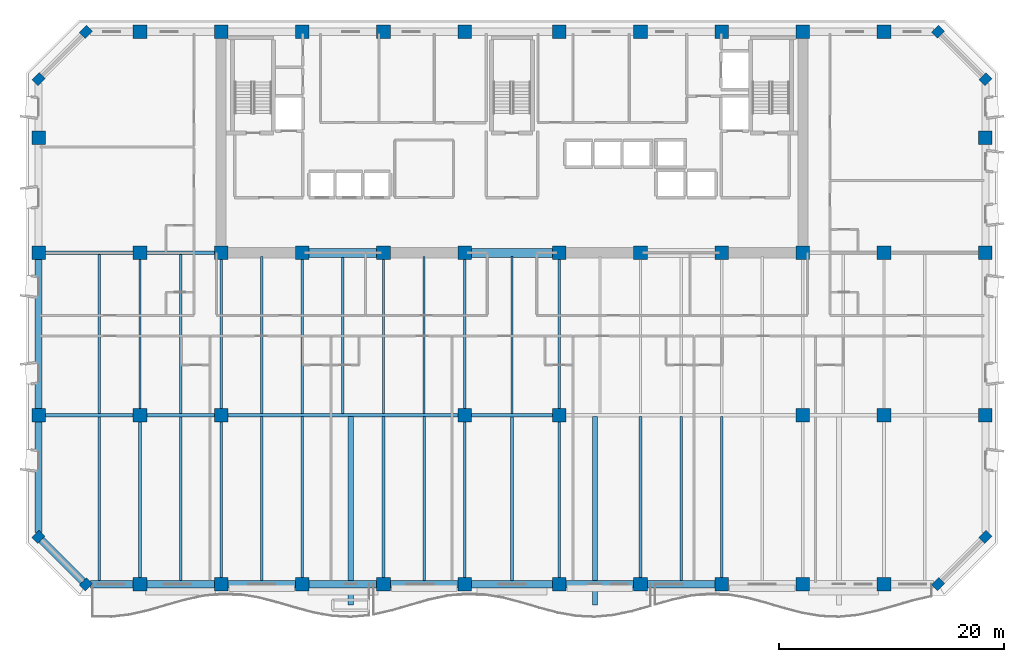
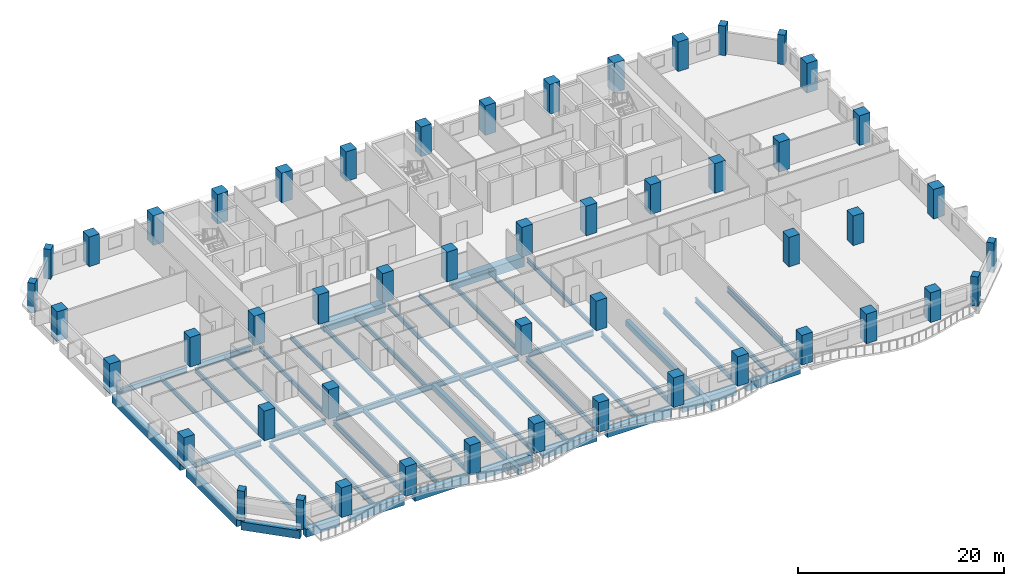
# One storey, part 1 of 15: 50 columns, 47 beams.
"""IFC4 building model written with IfcOpenShell, lengths in metres."""

import ifcopenshell
import ifcopenshell.guid

model = None  # the IFC model being written
_history = None  # IfcOwnerHistory: only IFC2X3 demands one
_inside = {}  # id of a spatial element -> (the spatial element, [elements in it])
_under = {}  # id of a project, library or spatial element -> (it, [spatial elements below it])
_declared = {}  # id of a project -> (the project, [libraries it declares])
_typed = {}  # id of a type object -> (the type object, [elements of that type])
_made_of = {}  # id of a material, layer set ... -> (it, [elements and type objects made of it])


def new_model(schema):
    """Start an empty IFC model of exactly this schema.

    Asked for "IFC4X3", IfcOpenShell would pick the latest addendum, in which some entities
    have other attributes; the version numbers below select the first issue.
    IFC2X3 requires an IfcOwnerHistory on every rooted entity: one is made here for all.
    """
    global model, _history
    if schema == "IFC4X3":
        model = ifcopenshell.file(schema_version=(4, 3, 0, 0))
    else:
        model = ifcopenshell.file(schema=schema)
    _inside.clear()
    _under.clear()
    _declared.clear()
    _typed.clear()
    _made_of.clear()
    _history = None
    if model.schema == "IFC2X3":
        org = make("IfcOrganization", Name="unknown")
        user = make(
            "IfcPersonAndOrganization",
            ThePerson=make("IfcPerson", FamilyName="unknown"),
            TheOrganization=org,
        )
        app = make(
            "IfcApplication",
            ApplicationDeveloper=org,
            Version="unknown",
            ApplicationFullName="unknown",
            ApplicationIdentifier="unknown",
        )
        _history = make(
            "IfcOwnerHistory",
            OwningUser=user,
            OwningApplication=app,
            ChangeAction="ADDED",
            CreationDate=0,
        )
    return model


def make(cls, **values):
    """One entity of the class cls with the attributes given. An attribute that is None is left unset."""
    return model.create_entity(
        cls, **{name: value for name, value in values.items() if value is not None}
    )


def rooted(cls, **values):
    """An entity with a GlobalId (a new one), such as an element, a storey or a relation."""
    return make(cls, GlobalId=ifcopenshell.guid.new(), OwnerHistory=_history, **values)


def si_unit(unit_type, name, prefix=None):
    """IfcSIUnit, for example si_unit("LENGTHUNIT", "METRE", prefix="MILLI")."""
    return make("IfcSIUnit", UnitType=unit_type, Prefix=prefix, Name=name)


def assignment(units):
    """IfcUnitAssignment: the units of a project."""
    return None if units is None else make("IfcUnitAssignment", Units=units)


def point(xyz):
    """IfcCartesianPoint."""
    return None if xyz is None else make("IfcCartesianPoint", Coordinates=xyz)


def direction(xyz):
    """IfcDirection."""
    return None if xyz is None else make("IfcDirection", DirectionRatios=xyz)


def frame(location, z_axis=None, x_axis=None):
    """IfcAxis2Placement3D, a coordinate frame: its origin and axes. An axis left out is left unset."""
    return make(
        "IfcAxis2Placement3D",
        Location=point(location),
        Axis=direction(z_axis),
        RefDirection=direction(x_axis),
    )


def frame_2d(location, x_axis=None):
    """IfcAxis2Placement2D, a coordinate frame in the plane: its origin and x axis."""
    return make(
        "IfcAxis2Placement2D", Location=point(location), RefDirection=direction(x_axis)
    )


def origin():
    """The frame at (0, 0, 0) with its axes left unset."""
    return frame((0.0, 0.0, 0.0))


def origin_2d():
    """The frame at (0, 0) in the plane with its x axis left unset."""
    return frame_2d((0.0, 0.0))


def place(relative_to, where):
    """IfcLocalPlacement: puts the frame where relative to a parent placement (None: the world)."""
    return make(
        "IfcLocalPlacement", PlacementRelTo=relative_to, RelativePlacement=where
    )


def context(
    kind, dimensions, precision=None, world=None, true_north=None, identifier=None
):
    """IfcGeometricRepresentationContext, for example the 3D "Model" context."""
    return make(
        "IfcGeometricRepresentationContext",
        ContextIdentifier=identifier,
        ContextType=kind,
        CoordinateSpaceDimension=dimensions,
        Precision=precision,
        WorldCoordinateSystem=world,
        TrueNorth=true_north,
    )


def subcontext(parent, identifier, kind, view, scale=None):
    """IfcGeometricRepresentationSubContext, for example "Body" below "Model"."""
    return make(
        "IfcGeometricRepresentationSubContext",
        ContextIdentifier=identifier,
        ContextType=kind,
        ParentContext=parent,
        TargetScale=scale,
        TargetView=view,
    )


def project(units=None, contexts=None):
    """IfcProject with its units and contexts."""
    return rooted(
        "IfcProject",
        Name="project",
        RepresentationContexts=contexts,
        UnitsInContext=assignment(units),
    )


def spatial(cls, under=None, at=None, **own):
    """A site, building, storey or space (cls), placed at a placement, below another one or the project."""
    s = rooted(cls, ObjectPlacement=at, **own)
    if under is not None:
        _under.setdefault(under.id(), (under, []))[1].append(s)
    return s


def profile(cls, at=None, kind="AREA", **sizes):
    """A parametric profile (cls). Its sizes go by their IFC names, for example OverallWidth=200.0."""
    return make(cls, ProfileType=kind, Position=at, **sizes)


def rectangle(**sizes):
    """IfcRectangleProfileDef."""
    return profile("IfcRectangleProfileDef", **sizes)


def i_section(**sizes):
    """IfcIShapeProfileDef."""
    return profile("IfcIShapeProfileDef", **sizes)


def extrude(swept, where, along, depth):
    """IfcExtrudedAreaSolid: the profile swept, set in the frame where, extruded along a direction by depth."""
    return make(
        "IfcExtrudedAreaSolid",
        SweptArea=swept,
        Position=where,
        ExtrudedDirection=direction(along),
        Depth=depth,
    )


def shape(context_of_items, identifier, shape_type, items):
    """IfcShapeRepresentation: the items that make up one representation, for example the "Body"."""
    return make(
        "IfcShapeRepresentation",
        ContextOfItems=context_of_items,
        RepresentationIdentifier=identifier,
        RepresentationType=shape_type,
        Items=items,
    )


def material(Name=None, Category=None):
    """IfcMaterial."""
    return make("IfcMaterial", Name=Name, Category=Category)


def material_profile(
    of_material, cross_section, Name=None, Category=None, Priority=None
):
    """IfcMaterialProfile: a cross section and its material."""
    return make(
        "IfcMaterialProfile",
        Name=Name,
        Material=of_material,
        Profile=cross_section,
        Priority=Priority,
        Category=Category,
    )


def profile_set(profiles, Name=None, composite=None):
    """IfcMaterialProfileSet."""
    return make(
        "IfcMaterialProfileSet",
        Name=Name,
        MaterialProfiles=profiles,
        CompositeProfile=composite,
    )


def made_of(thing, what):
    """Note that an element or type object is made of a material, layer set ...; save() writes the relation."""
    if what is not None:
        _made_of.setdefault(what.id(), (what, []))[1].append(thing)
    return thing


def type_object(cls, material=None, **own):
    """A type object (cls), such as IfcWallType, which elements share."""
    return made_of(rooted(cls, **own), material)


def element(
    cls,
    number,
    at=None,
    inside=None,
    cuts=None,
    type_object=None,
    material=None,
    context=None,
    identifier="Body",
    shape_type=None,
    held_by="IfcProductDefinitionShape",
    body=None,
    shapes=None,
    **own,
):
    """One element of the class cls, such as IfcWall. Its Tag is "e" and its number.

    at: its placement. inside: the storey or other place that contains it. cuts: it is an
    opening in that element (IfcRelVoidsElement). A single representation is given by context,
    identifier, shape_type and body (its items); several are given by shapes. held_by: the class
    of the entity that holds the representations. save() writes the other relations.
    """
    e = rooted(cls, Tag="e%d" % number, ObjectPlacement=at, **own)
    if body is not None:
        shapes = [shape(context, identifier, shape_type, body)]
    if shapes is not None:
        e.Representation = make(held_by, Representations=shapes)
    if inside is not None:
        _inside.setdefault(inside.id(), (inside, []))[1].append(e)
    if cuts is not None:
        rooted(
            "IfcRelVoidsElement", RelatingBuildingElement=cuts, RelatedOpeningElement=e
        )
    if type_object is not None:
        _typed.setdefault(type_object.id(), (type_object, []))[1].append(e)
    return made_of(e, material)


def aggregate(whole, parts):
    """IfcRelAggregates: a whole, such as a stair, and the parts it consists of."""
    return rooted("IfcRelAggregates", RelatingObject=whole, RelatedObjects=parts)


def save(model, path):
    """Write the relations noted so far, then the file.

    IfcRelAggregates (storeys below a building ...), IfcRelContainedInSpatialStructure (elements
    in a storey), IfcRelDefinesByType, IfcRelAssociatesMaterial and IfcRelDeclares: one each for
    every whole, place, type object, material and project.
    """
    for whole, parts in _under.values():
        aggregate(whole, parts)
    for where, things in _inside.values():
        rooted(
            "IfcRelContainedInSpatialStructure",
            RelatedElements=things,
            RelatingStructure=where,
        )
    for kind, things in _typed.values():
        rooted("IfcRelDefinesByType", RelatedObjects=things, RelatingType=kind)
    for what, things in _made_of.values():
        rooted("IfcRelAssociatesMaterial", RelatedObjects=things, RelatingMaterial=what)
    for by, libraries in _declared.values():
        rooted("IfcRelDeclares", RelatingContext=by, RelatedDefinitions=libraries)
    model.write(path)


model = new_model("IFC4")

# Units and contexts
model_context = context("Model", 3, precision=1e-05, world=origin(), true_north=direction((0.0, 1.0)))
body_context = subcontext(model_context, "Body", "Model", "MODEL_VIEW")
ifc_project = project(units=[si_unit("LENGTHUNIT", "METRE"), si_unit("AREAUNIT", "SQUARE_METRE"), si_unit("VOLUMEUNIT", "CUBIC_METRE"), si_unit("PLANEANGLEUNIT", "RADIAN"), si_unit("MASSUNIT", "GRAM", prefix="KILO")], contexts=[model_context])

# Site, building, storey
site_placement = place(None, origin())
site = spatial("IfcSite", under=ifc_project, at=site_placement, CompositionType="ELEMENT")
building_placement = place(site_placement, origin())
building = spatial("IfcBuilding", under=site, at=building_placement, Name="Kaelvorn Grand Hotel", CompositionType="ELEMENT")
storey_placement = place(building_placement, frame((0.0, 0.0, 100.550048828125)))
storey = spatial("IfcBuildingStorey", under=building, at=storey_placement, Name="L23", CompositionType="ELEMENT", Elevation=100.550048828125)

# Columns
ifc_material_1 = material(Name="Concrete C60/75", Category="concrete")
ifc_material_profile_1 = material_profile(ifc_material_1, rectangle(XDim=0.89990234375, YDim=0.75, at=origin_2d()), Name="RC PILASTER 900x750")
ifc_profile_set_1 = profile_set([ifc_material_profile_1], Name="Concrete C60/75")
column_type_1 = type_object("IfcColumnType", Name="COL-PIL-900x750-C60", PredefinedType="PILASTER", material=ifc_profile_set_1)
for number, where, z_axis, x_axis, name in (
    (1, (4.199951171875, 0.0, 0.0), (0.0, 0.0, 1.0), (0.707106781187, 0.707106781187, 0.0), "L23 Structural Column CH-01"),
    (2, (79.800048828125, 0.0, 0.0), (0.0, 0.0, 1.0), (0.707106781187, 0.707106781187, 0.0), "L23 Structural Column CH-02"),
    (3, (84.0, 4.199951171875, 0.0), (0.0, 0.0, 1.0), (0.707106781187, 0.707106781187, 0.0), "L23 Structural Column CH-03"),
    (4, (84.0, 44.800048828125, 0.0), (0.0, 0.0, 1.0), (0.707106781187, 0.707106781187, 0.0), "L23 Structural Column CH-04"),
    (5, (79.800048828125, 49.0, 0.0), (0.0, 0.0, 1.0), (0.707106781187, 0.707106781187, 0.0), "L23 Structural Column CH-05"),
    (6, (4.199951171875, 49.0, 0.0), (0.0, 0.0, 1.0), (0.707106781187, 0.707106781187, 0.0), "L23 Structural Column CH-06"),
    (7, (0.0, 44.800048828125, 0.0), (0.0, 0.0, 1.0), (0.707106781187, 0.707106781187, 0.0), "L23 Structural Column CH-07"),
    (8, (0.0, 4.199951171875, 0.0), (0.0, 0.0, 1.0), (0.707106781187, 0.707106781187, 0.0), "L23 Structural Column CH-08"),
):
    element("IfcColumn", number, at=place(storey_placement, frame(where, z_axis=z_axis, x_axis=x_axis)), inside=storey, type_object=column_type_1, Name=name, PredefinedType="PILASTER", context=body_context, shape_type="SweptSolid", body=[
        extrude(rectangle(XDim=0.89990234375, YDim=0.75, at=origin_2d()), origin(), (0.0, 0.0, 1.0), 3.510009765625),
    ])
ifc_material_profile_2 = material_profile(ifc_material_1, rectangle(XDim=1.199951171875, YDim=1.199951171875, at=origin_2d()), Name="RC COL 1200x1200")
ifc_profile_set_2 = profile_set([ifc_material_profile_2], Name="Concrete C60/75")
column_type_2 = type_object("IfcColumnType", Name="COL-RC-1200-C60", PredefinedType="COLUMN", material=ifc_profile_set_2)
for number, where, z_axis, x_axis, name in (
    (9, (9.0, 0.0, 0.0), (0.0, 0.0, 1.0), (1.0, 0.0, 0.0), "L23 Structural Column S-01"),
    (10, (16.199951171875, 0.0, 0.0), (0.0, 0.0, 1.0), (1.0, 0.0, 0.0), "L23 Structural Column S-02"),
    (11, (23.39990234375, 0.0, 0.0), (0.0, 0.0, 1.0), (1.0, 0.0, 0.0), "L23 Structural Column S-03"),
    (12, (30.60009765625, 0.0, 0.0), (0.0, 0.0, 1.0), (1.0, 0.0, 0.0), "L23 Structural Column S-04"),
    (13, (37.800048828125, 0.0, 0.0), (0.0, 0.0, 1.0), (1.0, 0.0, 0.0), "L23 Structural Column S-05"),
    (14, (46.199951171875, 0.0, 0.0), (0.0, 0.0, 1.0), (1.0, 0.0, 0.0), "L23 Structural Column S-06"),
    (15, (53.39990234375, 0.0, 0.0), (0.0, 0.0, 1.0), (1.0, 0.0, 0.0), "L23 Structural Column S-07"),
    (16, (60.60009765625, 0.0, 0.0), (0.0, 0.0, 1.0), (1.0, 0.0, 0.0), "L23 Structural Column S-08"),
    (17, (67.800048828125, 0.0, 0.0), (0.0, 0.0, 1.0), (1.0, 0.0, 0.0), "L23 Structural Column S-09"),
    (18, (75.0, 0.0, 0.0), (0.0, 0.0, 1.0), (1.0, 0.0, 0.0), "L23 Structural Column S-10"),
    (19, (0.0, 15.0, 0.0), (0.0, 0.0, 1.0), (1.0, 0.0, 0.0), "L23 Structural Column W-01"),
    (20, (84.0, 15.0, 0.0), (0.0, 0.0, 1.0), (1.0, 0.0, 0.0), "L23 Structural Column E-01"),
    (21, (0.0, 29.39990234375, 0.0), (0.0, 0.0, 1.0), (1.0, 0.0, 0.0), "L23 Structural Column W-02"),
    (22, (84.0, 29.39990234375, 0.0), (0.0, 0.0, 1.0), (1.0, 0.0, 0.0), "L23 Structural Column E-02"),
    (23, (0.0, 39.60009765625, 0.0), (0.0, 0.0, 1.0), (1.0, 0.0, 0.0), "L23 Structural Column W-03"),
    (24, (84.0, 39.60009765625, 0.0), (0.0, 0.0, 1.0), (1.0, 0.0, 0.0), "L23 Structural Column E-03"),
    (25, (9.0, 15.0, 0.0), (0.0, 0.0, 1.0), (1.0, 0.0, 0.0), "L23 Structural Column M-01"),
    (26, (16.199951171875, 15.0, 0.0), (0.0, 0.0, 1.0), (1.0, 0.0, 0.0), "L23 Structural Column M-02"),
    (27, (37.800048828125, 15.0, 0.0), (0.0, 0.0, 1.0), (1.0, 0.0, 0.0), "L23 Structural Column M-03"),
    (28, (46.199951171875, 15.0, 0.0), (0.0, 0.0, 1.0), (1.0, 0.0, 0.0), "L23 Structural Column M-04"),
    (29, (67.800048828125, 15.0, 0.0), (0.0, 0.0, 1.0), (1.0, 0.0, 0.0), "L23 Structural Column M-05"),
    (30, (75.0, 15.0, 0.0), (0.0, 0.0, 1.0), (1.0, 0.0, 0.0), "L23 Structural Column M-06"),
    (31, (9.0, 29.39990234375, 0.0), (0.0, 0.0, 1.0), (1.0, 0.0, 0.0), "L23 Structural Column CR1-01"),
    (32, (9.0, 49.0, 0.0), (0.0, 0.0, 1.0), (1.0, 0.0, 0.0), "L23 Structural Column CR2-01"),
    (33, (16.199951171875, 29.39990234375, 0.0), (0.0, 0.0, 1.0), (1.0, 0.0, 0.0), "L23 Structural Column CR1-02"),
    (34, (16.199951171875, 49.0, 0.0), (0.0, 0.0, 1.0), (1.0, 0.0, 0.0), "L23 Structural Column CR2-02"),
    (35, (23.39990234375, 29.39990234375, 0.0), (0.0, 0.0, 1.0), (1.0, 0.0, 0.0), "L23 Structural Column CR1-03"),
    (36, (23.39990234375, 49.0, 0.0), (0.0, 0.0, 1.0), (1.0, 0.0, 0.0), "L23 Structural Column CR2-03"),
    (37, (30.60009765625, 29.39990234375, 0.0), (0.0, 0.0, 1.0), (1.0, 0.0, 0.0), "L23 Structural Column CR1-04"),
    (38, (30.60009765625, 49.0, 0.0), (0.0, 0.0, 1.0), (1.0, 0.0, 0.0), "L23 Structural Column CR2-04"),
    (39, (37.800048828125, 29.39990234375, 0.0), (0.0, 0.0, 1.0), (1.0, 0.0, 0.0), "L23 Structural Column CR1-05"),
    (40, (37.800048828125, 49.0, 0.0), (0.0, 0.0, 1.0), (1.0, 0.0, 0.0), "L23 Structural Column CR2-05"),
    (41, (46.199951171875, 29.39990234375, 0.0), (0.0, 0.0, 1.0), (1.0, 0.0, 0.0), "L23 Structural Column CR1-06"),
    (42, (46.199951171875, 49.0, 0.0), (0.0, 0.0, 1.0), (1.0, 0.0, 0.0), "L23 Structural Column CR2-06"),
    (43, (53.39990234375, 29.39990234375, 0.0), (0.0, 0.0, 1.0), (1.0, 0.0, 0.0), "L23 Structural Column CR1-07"),
    (44, (53.39990234375, 49.0, 0.0), (0.0, 0.0, 1.0), (1.0, 0.0, 0.0), "L23 Structural Column CR2-07"),
    (45, (60.60009765625, 29.39990234375, 0.0), (0.0, 0.0, 1.0), (1.0, 0.0, 0.0), "L23 Structural Column CR1-08"),
    (46, (60.60009765625, 49.0, 0.0), (0.0, 0.0, 1.0), (1.0, 0.0, 0.0), "L23 Structural Column CR2-08"),
    (47, (67.800048828125, 29.39990234375, 0.0), (0.0, 0.0, 1.0), (1.0, 0.0, 0.0), "L23 Structural Column CR1-09"),
    (48, (67.800048828125, 49.0, 0.0), (0.0, 0.0, 1.0), (1.0, 0.0, 0.0), "L23 Structural Column CR2-09"),
    (49, (75.0, 29.39990234375, 0.0), (0.0, 0.0, 1.0), (1.0, 0.0, 0.0), "L23 Structural Column CR1-10"),
    (50, (75.0, 49.0, 0.0), (0.0, 0.0, 1.0), (1.0, 0.0, 0.0), "L23 Structural Column CR2-10"),
):
    element("IfcColumn", number, at=place(storey_placement, frame(where, z_axis=z_axis, x_axis=x_axis)), inside=storey, type_object=column_type_2, Name=name, PredefinedType="COLUMN", context=body_context, shape_type="SweptSolid", body=[
        extrude(rectangle(XDim=1.199951171875, YDim=1.199951171875, at=origin_2d()), origin(), (0.0, 0.0, 1.0), 3.510009765625),
    ])

# Beams
ifc_material_2 = material(Name="Steel S355", Category="steel")
ifc_material_profile_3 = material_profile(ifc_material_2, i_section(OverallWidth=0.300048828125, OverallDepth=0.64990234375, WebThickness=0.01611328125, FlangeThickness=0.031005859375, FilletRadius=0.027099609375, at=origin_2d()), Name="HEB 650")
ifc_profile_set_3 = profile_set([ifc_material_profile_3], Name="Steel S355")
beam_type_1 = type_object("IfcBeamType", Name="BM-G-HEB650-S355", PredefinedType="BEAM", material=ifc_profile_set_3)
beam_1_placement = place(storey_placement, frame((0.5849609375, 15.0, -0.56494140625), z_axis=(1.0, 0.0, 0.0), x_axis=(0.0, 1.0, 0.0)))
element("IfcBeam", 51, at=beam_1_placement, inside=storey, type_object=beam_type_1, Name="L23 Primary Spine Steel Girder G-15 01", PredefinedType="BEAM", context=body_context, shape_type="SweptSolid", body=[
    extrude(i_section(OverallWidth=0.300048828125, OverallDepth=0.64990234375, WebThickness=0.01611328125, FlangeThickness=0.031005859375, FilletRadius=0.027099609375, at=origin_2d()), origin(), (0.0, 0.0, 1.0), 7.830078125),
])
beam_2_placement = place(storey_placement, frame((9.5849609375, 15.0, -0.56494140625), z_axis=(1.0, 0.0, 0.0), x_axis=(0.0, 1.0, 0.0)))
element("IfcBeam", 52, at=beam_2_placement, inside=storey, type_object=beam_type_1, Name="L23 Primary Spine Steel Girder G-15 02", PredefinedType="BEAM", context=body_context, shape_type="SweptSolid", body=[
    extrude(i_section(OverallWidth=0.300048828125, OverallDepth=0.64990234375, WebThickness=0.01611328125, FlangeThickness=0.031005859375, FilletRadius=0.027099609375, at=origin_2d()), origin(), (0.0, 0.0, 1.0), 6.030029296875),
])
beam_3_placement = place(storey_placement, frame((16.784912109375, 15.0, -0.56494140625), z_axis=(1.0, 0.0, 0.0), x_axis=(0.0, 1.0, 0.0)))
element("IfcBeam", 53, at=beam_3_placement, inside=storey, type_object=beam_type_1, Name="L23 Primary Spine Steel Girder G-15 03", PredefinedType="BEAM", context=body_context, shape_type="SweptSolid", body=[
    extrude(i_section(OverallWidth=0.300048828125, OverallDepth=0.64990234375, WebThickness=0.01611328125, FlangeThickness=0.031005859375, FilletRadius=0.027099609375, at=origin_2d()), origin(), (0.0, 0.0, 1.0), 20.43017578125),
])
beam_4_placement = place(storey_placement, frame((38.385009765625, 15.0, -0.56494140625), z_axis=(1.0, 0.0, 0.0), x_axis=(0.0, 1.0, 0.0)))
element("IfcBeam", 54, at=beam_4_placement, inside=storey, type_object=beam_type_1, Name="L23 Primary Spine Steel Girder G-15 04", PredefinedType="BEAM", context=body_context, shape_type="SweptSolid", body=[
    extrude(i_section(OverallWidth=0.300048828125, OverallDepth=0.64990234375, WebThickness=0.01611328125, FlangeThickness=0.031005859375, FilletRadius=0.027099609375, at=origin_2d()), origin(), (0.0, 0.0, 1.0), 7.22998046875),
])
beam_5_placement = place(storey_placement, frame((0.5849609375, 29.39990234375, -0.56494140625), z_axis=(1.0, 0.0, 0.0), x_axis=(0.0, 1.0, 0.0)))
element("IfcBeam", 55, at=beam_5_placement, inside=storey, type_object=beam_type_1, Name="L23 West Core Wing Steel Girder G-29W 01", PredefinedType="BEAM", context=body_context, shape_type="SweptSolid", body=[
    extrude(i_section(OverallWidth=0.300048828125, OverallDepth=0.64990234375, WebThickness=0.01611328125, FlangeThickness=0.031005859375, FilletRadius=0.027099609375, at=origin_2d()), origin(), (0.0, 0.0, 1.0), 7.830078125),
])
beam_6_placement = place(storey_placement, frame((9.5849609375, 29.39990234375, -0.56494140625), z_axis=(1.0, 0.0, 0.0), x_axis=(0.0, 1.0, 0.0)))
element("IfcBeam", 56, at=beam_6_placement, inside=storey, type_object=beam_type_1, Name="L23 West Core Wing Steel Girder G-29W 02", PredefinedType="BEAM", context=body_context, shape_type="SweptSolid", body=[
    extrude(i_section(OverallWidth=0.300048828125, OverallDepth=0.64990234375, WebThickness=0.01611328125, FlangeThickness=0.031005859375, FilletRadius=0.027099609375, at=origin_2d()), origin(), (0.0, 0.0, 1.0), 6.030029296875),
])
ifc_material_profile_4 = material_profile(ifc_material_2, i_section(OverallWidth=0.209228515625, OverallDepth=0.533203125, WebThickness=0.010009765625, FlangeThickness=0.015625, FilletRadius=0.0126953125, at=origin_2d()), Name="UB 533x210x92")
ifc_profile_set_4 = profile_set([ifc_material_profile_4], Name="Steel S355")
beam_type_2 = type_object("IfcBeamType", Name="BM-J-UB533-S355", PredefinedType="JOIST", material=ifc_profile_set_4)
beam_7_placement = place(storey_placement, frame((5.39990234375, 15.135009765625, -0.506591796875), z_axis=(0.0, 1.0, 0.0), x_axis=(-1.0, 0.0, 0.0)))
element("IfcBeam", 57, at=beam_7_placement, inside=storey, type_object=beam_type_2, Name="L23 Composite Floor Joist JM-02", PredefinedType="JOIST", context=body_context, shape_type="SweptSolid", body=[
    extrude(i_section(OverallWidth=0.209228515625, OverallDepth=0.533203125, WebThickness=0.010009765625, FlangeThickness=0.015625, FilletRadius=0.0126953125, at=origin_2d()), origin(), (0.0, 0.0, 1.0), 14.1298828125),
])
beam_8_placement = place(storey_placement, frame((9.0, 15.5849609375, -0.506591796875), z_axis=(0.0, 1.0, 0.0), x_axis=(-1.0, 0.0, 0.0)))
element("IfcBeam", 58, at=beam_8_placement, inside=storey, type_object=beam_type_2, Name="L23 Composite Floor Joist JM-03", PredefinedType="JOIST", context=body_context, shape_type="SweptSolid", body=[
    extrude(i_section(OverallWidth=0.209228515625, OverallDepth=0.533203125, WebThickness=0.010009765625, FlangeThickness=0.015625, FilletRadius=0.0126953125, at=origin_2d()), origin(), (0.0, 0.0, 1.0), 13.22998046875),
])
beam_9_placement = place(storey_placement, frame((12.60009765625, 15.135009765625, -0.506591796875), z_axis=(0.0, 1.0, 0.0), x_axis=(-1.0, 0.0, 0.0)))
element("IfcBeam", 59, at=beam_9_placement, inside=storey, type_object=beam_type_2, Name="L23 Composite Floor Joist JM-04", PredefinedType="JOIST", context=body_context, shape_type="SweptSolid", body=[
    extrude(i_section(OverallWidth=0.209228515625, OverallDepth=0.533203125, WebThickness=0.010009765625, FlangeThickness=0.015625, FilletRadius=0.0126953125, at=origin_2d()), origin(), (0.0, 0.0, 1.0), 14.1298828125),
])
beam_10_placement = place(storey_placement, frame((16.199951171875, 15.5849609375, -0.506591796875), z_axis=(0.0, 1.0, 0.0), x_axis=(-1.0, 0.0, 0.0)))
element("IfcBeam", 60, at=beam_10_placement, inside=storey, type_object=beam_type_2, Name="L23 Composite Floor Joist JM-05", PredefinedType="JOIST", context=body_context, shape_type="SweptSolid", body=[
    extrude(i_section(OverallWidth=0.209228515625, OverallDepth=0.533203125, WebThickness=0.010009765625, FlangeThickness=0.015625, FilletRadius=0.0126953125, at=origin_2d()), origin(), (0.0, 0.0, 1.0), 13.22998046875),
])
beam_11_placement = place(storey_placement, frame((19.800048828125, 15.135009765625, -0.506591796875), z_axis=(0.0, 1.0, 0.0), x_axis=(-1.0, 0.0, 0.0)))
element("IfcBeam", 61, at=beam_11_placement, inside=storey, type_object=beam_type_2, Name="L23 Composite Floor Joist JM-06", PredefinedType="JOIST", context=body_context, shape_type="SweptSolid", body=[
    extrude(i_section(OverallWidth=0.209228515625, OverallDepth=0.533203125, WebThickness=0.010009765625, FlangeThickness=0.015625, FilletRadius=0.0126953125, at=origin_2d()), origin(), (0.0, 0.0, 1.0), 13.925048828125),
])
beam_12_placement = place(storey_placement, frame((23.39990234375, 15.135009765625, -0.506591796875), z_axis=(0.0, 1.0, 0.0), x_axis=(-1.0, 0.0, 0.0)))
element("IfcBeam", 62, at=beam_12_placement, inside=storey, type_object=beam_type_2, Name="L23 Composite Floor Joist JM-07", PredefinedType="JOIST", context=body_context, shape_type="SweptSolid", body=[
    extrude(i_section(OverallWidth=0.209228515625, OverallDepth=0.533203125, WebThickness=0.010009765625, FlangeThickness=0.015625, FilletRadius=0.0126953125, at=origin_2d()), origin(), (0.0, 0.0, 1.0), 13.679931640625),
])
beam_13_placement = place(storey_placement, frame((27.0, 15.135009765625, -0.506591796875), z_axis=(0.0, 1.0, 0.0), x_axis=(-1.0, 0.0, 0.0)))
element("IfcBeam", 63, at=beam_13_placement, inside=storey, type_object=beam_type_2, Name="L23 Composite Floor Joist JM-08", PredefinedType="JOIST", context=body_context, shape_type="SweptSolid", body=[
    extrude(i_section(OverallWidth=0.209228515625, OverallDepth=0.533203125, WebThickness=0.010009765625, FlangeThickness=0.015625, FilletRadius=0.0126953125, at=origin_2d()), origin(), (0.0, 0.0, 1.0), 13.925048828125),
])
beam_14_placement = place(storey_placement, frame((30.60009765625, 15.135009765625, -0.506591796875), z_axis=(0.0, 1.0, 0.0), x_axis=(-1.0, 0.0, 0.0)))
element("IfcBeam", 64, at=beam_14_placement, inside=storey, type_object=beam_type_2, Name="L23 Composite Floor Joist JM-09", PredefinedType="JOIST", context=body_context, shape_type="SweptSolid", body=[
    extrude(i_section(OverallWidth=0.209228515625, OverallDepth=0.533203125, WebThickness=0.010009765625, FlangeThickness=0.015625, FilletRadius=0.0126953125, at=origin_2d()), origin(), (0.0, 0.0, 1.0), 13.679931640625),
])
beam_15_placement = place(storey_placement, frame((34.199951171875, 15.135009765625, -0.506591796875), z_axis=(0.0, 1.0, 0.0), x_axis=(-1.0, 0.0, 0.0)))
element("IfcBeam", 65, at=beam_15_placement, inside=storey, type_object=beam_type_2, Name="L23 Composite Floor Joist JM-10", PredefinedType="JOIST", context=body_context, shape_type="SweptSolid", body=[
    extrude(i_section(OverallWidth=0.209228515625, OverallDepth=0.533203125, WebThickness=0.010009765625, FlangeThickness=0.015625, FilletRadius=0.0126953125, at=origin_2d()), origin(), (0.0, 0.0, 1.0), 13.925048828125),
])
beam_16_placement = place(storey_placement, frame((37.800048828125, 15.5849609375, -0.506591796875), z_axis=(0.0, 1.0, 0.0), x_axis=(-1.0, 0.0, 0.0)))
element("IfcBeam", 66, at=beam_16_placement, inside=storey, type_object=beam_type_2, Name="L23 Composite Floor Joist JM-11", PredefinedType="JOIST", context=body_context, shape_type="SweptSolid", body=[
    extrude(i_section(OverallWidth=0.209228515625, OverallDepth=0.533203125, WebThickness=0.010009765625, FlangeThickness=0.015625, FilletRadius=0.0126953125, at=origin_2d()), origin(), (0.0, 0.0, 1.0), 13.22998046875),
])
beam_17_placement = place(storey_placement, frame((42.0, 15.135009765625, -0.506591796875), z_axis=(0.0, 1.0, 0.0), x_axis=(-1.0, 0.0, 0.0)))
element("IfcBeam", 67, at=beam_17_placement, inside=storey, type_object=beam_type_2, Name="L23 Composite Floor Joist JM-12", PredefinedType="JOIST", context=body_context, shape_type="SweptSolid", body=[
    extrude(i_section(OverallWidth=0.209228515625, OverallDepth=0.533203125, WebThickness=0.010009765625, FlangeThickness=0.015625, FilletRadius=0.0126953125, at=origin_2d()), origin(), (0.0, 0.0, 1.0), 13.925048828125),
])
beam_18_placement = place(storey_placement, frame((46.199951171875, 15.5849609375, -0.506591796875), z_axis=(0.0, 1.0, 0.0), x_axis=(-1.0, 0.0, 0.0)))
element("IfcBeam", 68, at=beam_18_placement, inside=storey, type_object=beam_type_2, Name="L23 Composite Floor Joist JM-13", PredefinedType="JOIST", context=body_context, shape_type="SweptSolid", body=[
    extrude(i_section(OverallWidth=0.209228515625, OverallDepth=0.533203125, WebThickness=0.010009765625, FlangeThickness=0.015625, FilletRadius=0.0126953125, at=origin_2d()), origin(), (0.0, 0.0, 1.0), 13.22998046875),
])
ifc_material_profile_5 = material_profile(ifc_material_2, i_section(OverallWidth=0.22900390625, OverallDepth=0.6123046875, WebThickness=0.011962890625, FlangeThickness=0.01953125, FilletRadius=0.0126953125, at=origin_2d()), Name="UB 610x229x125")
ifc_profile_set_5 = profile_set([ifc_material_profile_5], Name="Steel S355")
beam_type_3 = type_object("IfcBeamType", Name="BM-J-UB610-S355", PredefinedType="JOIST", material=ifc_profile_set_5)
beam_19_placement = place(storey_placement, frame((5.39990234375, 0.31005859375, -0.546142578125), z_axis=(0.0, 1.0, 0.0), x_axis=(-1.0, 0.0, 0.0)))
element("IfcBeam", 69, at=beam_19_placement, inside=storey, type_object=beam_type_3, Name="L23 Composite Floor Joist JS-02", PredefinedType="JOIST", context=body_context, shape_type="SweptSolid", body=[
    extrude(i_section(OverallWidth=0.22900390625, OverallDepth=0.6123046875, WebThickness=0.011962890625, FlangeThickness=0.01953125, FilletRadius=0.0126953125, at=origin_2d()), origin(), (0.0, 0.0, 1.0), 14.554931640625),
])
beam_20_placement = place(storey_placement, frame((9.0, 0.5849609375, -0.546142578125), z_axis=(0.0, 1.0, 0.0), x_axis=(-1.0, 0.0, 0.0)))
element("IfcBeam", 70, at=beam_20_placement, inside=storey, type_object=beam_type_3, Name="L23 Composite Floor Joist JS-03", PredefinedType="JOIST", context=body_context, shape_type="SweptSolid", body=[
    extrude(i_section(OverallWidth=0.22900390625, OverallDepth=0.6123046875, WebThickness=0.011962890625, FlangeThickness=0.01953125, FilletRadius=0.0126953125, at=origin_2d()), origin(), (0.0, 0.0, 1.0), 13.830078125),
])
beam_21_placement = place(storey_placement, frame((12.60009765625, 0.31005859375, -0.546142578125), z_axis=(0.0, 1.0, 0.0), x_axis=(-1.0, 0.0, 0.0)))
element("IfcBeam", 71, at=beam_21_placement, inside=storey, type_object=beam_type_3, Name="L23 Composite Floor Joist JS-04", PredefinedType="JOIST", context=body_context, shape_type="SweptSolid", body=[
    extrude(i_section(OverallWidth=0.22900390625, OverallDepth=0.6123046875, WebThickness=0.011962890625, FlangeThickness=0.01953125, FilletRadius=0.0126953125, at=origin_2d()), origin(), (0.0, 0.0, 1.0), 14.554931640625),
])
beam_22_placement = place(storey_placement, frame((16.199951171875, 0.5849609375, -0.546142578125), z_axis=(0.0, 1.0, 0.0), x_axis=(-1.0, 0.0, 0.0)))
element("IfcBeam", 72, at=beam_22_placement, inside=storey, type_object=beam_type_3, Name="L23 Composite Floor Joist JS-05", PredefinedType="JOIST", context=body_context, shape_type="SweptSolid", body=[
    extrude(i_section(OverallWidth=0.22900390625, OverallDepth=0.6123046875, WebThickness=0.011962890625, FlangeThickness=0.01953125, FilletRadius=0.0126953125, at=origin_2d()), origin(), (0.0, 0.0, 1.0), 13.830078125),
])
beam_23_placement = place(storey_placement, frame((19.800048828125, 0.31005859375, -0.546142578125), z_axis=(0.0, 1.0, 0.0), x_axis=(-1.0, 0.0, 0.0)))
element("IfcBeam", 73, at=beam_23_placement, inside=storey, type_object=beam_type_3, Name="L23 Composite Floor Joist JS-06", PredefinedType="JOIST", context=body_context, shape_type="SweptSolid", body=[
    extrude(i_section(OverallWidth=0.22900390625, OverallDepth=0.6123046875, WebThickness=0.011962890625, FlangeThickness=0.01953125, FilletRadius=0.0126953125, at=origin_2d()), origin(), (0.0, 0.0, 1.0), 14.554931640625),
])
for number, where, z_axis, x_axis, name in (
    (74, (23.39990234375, 0.5849609375, -0.546142578125), (0.0, 1.0, 0.0), (-1.0, 0.0, 0.0), "L23 Composite Floor Joist JS-07"),
    (75, (30.60009765625, 0.5849609375, -0.546142578125), (0.0, 1.0, 0.0), (-1.0, 0.0, 0.0), "L23 Composite Floor Joist JS-09"),
):
    element("IfcBeam", number, at=place(storey_placement, frame(where, z_axis=z_axis, x_axis=x_axis)), inside=storey, type_object=beam_type_3, Name=name, PredefinedType="JOIST", context=body_context, shape_type="SweptSolid", body=[
        extrude(i_section(OverallWidth=0.22900390625, OverallDepth=0.6123046875, WebThickness=0.011962890625, FlangeThickness=0.01953125, FilletRadius=0.0126953125, at=origin_2d()), origin(), (0.0, 0.0, 1.0), 14.280029296875),
    ])
beam_24_placement = place(storey_placement, frame((34.199951171875, 0.31005859375, -0.546142578125), z_axis=(0.0, 1.0, 0.0), x_axis=(-1.0, 0.0, 0.0)))
element("IfcBeam", 76, at=beam_24_placement, inside=storey, type_object=beam_type_3, Name="L23 Composite Floor Joist JS-10", PredefinedType="JOIST", context=body_context, shape_type="SweptSolid", body=[
    extrude(i_section(OverallWidth=0.22900390625, OverallDepth=0.6123046875, WebThickness=0.011962890625, FlangeThickness=0.01953125, FilletRadius=0.0126953125, at=origin_2d()), origin(), (0.0, 0.0, 1.0), 14.554931640625),
])
beam_25_placement = place(storey_placement, frame((37.800048828125, 0.5849609375, -0.546142578125), z_axis=(0.0, 1.0, 0.0), x_axis=(-1.0, 0.0, 0.0)))
element("IfcBeam", 77, at=beam_25_placement, inside=storey, type_object=beam_type_3, Name="L23 Composite Floor Joist JS-11", PredefinedType="JOIST", context=body_context, shape_type="SweptSolid", body=[
    extrude(i_section(OverallWidth=0.22900390625, OverallDepth=0.6123046875, WebThickness=0.011962890625, FlangeThickness=0.01953125, FilletRadius=0.0126953125, at=origin_2d()), origin(), (0.0, 0.0, 1.0), 13.830078125),
])
beam_26_placement = place(storey_placement, frame((42.0, 0.31005859375, -0.546142578125), z_axis=(0.0, 1.0, 0.0), x_axis=(-1.0, 0.0, 0.0)))
element("IfcBeam", 78, at=beam_26_placement, inside=storey, type_object=beam_type_3, Name="L23 Composite Floor Joist JS-12", PredefinedType="JOIST", context=body_context, shape_type="SweptSolid", body=[
    extrude(i_section(OverallWidth=0.22900390625, OverallDepth=0.6123046875, WebThickness=0.011962890625, FlangeThickness=0.01953125, FilletRadius=0.0126953125, at=origin_2d()), origin(), (0.0, 0.0, 1.0), 14.554931640625),
])
beam_27_placement = place(storey_placement, frame((46.199951171875, 0.5849609375, -0.546142578125), z_axis=(0.0, 1.0, 0.0), x_axis=(-1.0, 0.0, 0.0)))
element("IfcBeam", 79, at=beam_27_placement, inside=storey, type_object=beam_type_3, Name="L23 Composite Floor Joist JS-13", PredefinedType="JOIST", context=body_context, shape_type="SweptSolid", body=[
    extrude(i_section(OverallWidth=0.22900390625, OverallDepth=0.6123046875, WebThickness=0.011962890625, FlangeThickness=0.01953125, FilletRadius=0.0126953125, at=origin_2d()), origin(), (0.0, 0.0, 1.0), 13.830078125),
])
beam_28_placement = place(storey_placement, frame((53.39990234375, 0.5849609375, -0.546142578125), z_axis=(0.0, 1.0, 0.0), x_axis=(-1.0, 0.0, 0.0)))
element("IfcBeam", 80, at=beam_28_placement, inside=storey, type_object=beam_type_3, Name="L23 Composite Floor Joist JS-15", PredefinedType="JOIST", context=body_context, shape_type="SweptSolid", body=[
    extrude(i_section(OverallWidth=0.22900390625, OverallDepth=0.6123046875, WebThickness=0.011962890625, FlangeThickness=0.01953125, FilletRadius=0.0126953125, at=origin_2d()), origin(), (0.0, 0.0, 1.0), 14.280029296875),
])
beam_29_placement = place(storey_placement, frame((57.0, 0.31005859375, -0.546142578125), z_axis=(0.0, 1.0, 0.0), x_axis=(-1.0, 0.0, 0.0)))
element("IfcBeam", 81, at=beam_29_placement, inside=storey, type_object=beam_type_3, Name="L23 Composite Floor Joist JS-16", PredefinedType="JOIST", context=body_context, shape_type="SweptSolid", body=[
    extrude(i_section(OverallWidth=0.22900390625, OverallDepth=0.6123046875, WebThickness=0.011962890625, FlangeThickness=0.01953125, FilletRadius=0.0126953125, at=origin_2d()), origin(), (0.0, 0.0, 1.0), 14.554931640625),
])
beam_30_placement = place(storey_placement, frame((60.60009765625, 0.5849609375, -0.546142578125), z_axis=(0.0, 1.0, 0.0), x_axis=(-1.0, 0.0, 0.0)))
element("IfcBeam", 82, at=beam_30_placement, inside=storey, type_object=beam_type_3, Name="L23 Composite Floor Joist JS-17", PredefinedType="JOIST", context=body_context, shape_type="SweptSolid", body=[
    extrude(i_section(OverallWidth=0.22900390625, OverallDepth=0.6123046875, WebThickness=0.011962890625, FlangeThickness=0.01953125, FilletRadius=0.0126953125, at=origin_2d()), origin(), (0.0, 0.0, 1.0), 14.280029296875),
])
ifc_material_profile_6 = material_profile(ifc_material_1, rectangle(XDim=0.800048828125, YDim=1.10009765625, at=origin_2d()), Name="RC LINTEL 800x1100")
ifc_profile_set_6 = profile_set([ifc_material_profile_6], Name="Concrete C60/75")
beam_type_4 = type_object("IfcBeamType", Name="BM-LIN-800x1100-C60", PredefinedType="LINTEL", material=ifc_profile_set_6)
beam_31_placement = place(storey_placement, frame((23.580078125, 29.39990234375, -0.7900390625), z_axis=(1.0, 0.0, 0.0), x_axis=(0.0, 1.0, 0.0)))
element("IfcBeam", 83, at=beam_31_placement, inside=storey, type_object=beam_type_4, Name="L23 Rear-Core Coupling Lintel Beam CB1-01", PredefinedType="LINTEL", context=body_context, shape_type="SweptSolid", body=[
    extrude(rectangle(XDim=0.800048828125, YDim=1.10009765625, at=origin_2d()), origin(), (0.0, 0.0, 1.0), 6.83984375),
])
beam_32_placement = place(storey_placement, frame((37.97998046875, 29.39990234375, -0.7900390625), z_axis=(1.0, 0.0, 0.0), x_axis=(0.0, 1.0, 0.0)))
element("IfcBeam", 84, at=beam_32_placement, inside=storey, type_object=beam_type_4, Name="L23 Rear-Core Coupling Lintel Beam CB1-02", PredefinedType="LINTEL", context=body_context, shape_type="SweptSolid", body=[
    extrude(rectangle(XDim=0.800048828125, YDim=1.10009765625, at=origin_2d()), origin(), (0.0, 0.0, 1.0), 8.0400390625),
])
ifc_material_3 = material(Name="Concrete C40/50", Category="concrete")
ifc_material_profile_7 = material_profile(ifc_material_3, rectangle(XDim=0.449951171875, YDim=0.64990234375, at=origin_2d()), Name="RC RIB 450x650")
ifc_profile_set_7 = profile_set([ifc_material_profile_7], Name="Concrete C40/50")
beam_type_5 = type_object("IfcBeamType", Name="BM-RIB-450x650-C40", PredefinedType="SPANDREL", material=ifc_profile_set_7)
for number, where, z_axis, x_axis, name in (
    (85, (27.69775390625, -1.85009765625, -0.545166015625), (0.0, 1.0, 0.0), (-1.0, 0.0, 0.0), "L23 Cantilevered Balcony Back-Span Rib RB1-1"),
    (86, (49.360107421875, -1.85009765625, -0.545166015625), (0.0, 1.0, 0.0), (-1.0, 0.0, 0.0), "L23 Cantilevered Balcony Back-Span Rib RB1-2"),
):
    element("IfcBeam", number, at=place(storey_placement, frame(where, z_axis=z_axis, x_axis=x_axis)), inside=storey, type_object=beam_type_5, Name=name, PredefinedType="SPANDREL", context=body_context, shape_type="SweptSolid", body=[
        extrude(rectangle(XDim=0.449951171875, YDim=0.64990234375, at=origin_2d()), origin(), (0.0, 0.0, 1.0), 16.715087890625),
    ])
ifc_material_profile_8 = material_profile(ifc_material_1, rectangle(XDim=0.64990234375, YDim=0.949951171875, at=origin_2d()), Name="RC SPANDREL 650x950")
ifc_profile_set_8 = profile_set([ifc_material_profile_8], Name="Concrete C60/75")
beam_type_6 = type_object("IfcBeamType", Name="BM-SP-650x950-C60", PredefinedType="SPANDREL", material=ifc_profile_set_8)
beam_33_placement = place(storey_placement, frame((4.60498046875, 0.0, -0.715087890625), z_axis=(1.0, 0.0, 0.0), x_axis=(0.0, 1.0, 0.0)))
element("IfcBeam", 87, at=beam_33_placement, inside=storey, type_object=beam_type_6, Name="L23 South Perimeter Spandrel 01", PredefinedType="SPANDREL", context=body_context, shape_type="SweptSolid", body=[
    extrude(rectangle(XDim=0.64990234375, YDim=0.949951171875, at=origin_2d()), origin(), (0.0, 0.0, 1.0), 3.81005859375),
])
for number, where, z_axis, x_axis, name in (
    (88, (9.5849609375, 0.0, -0.715087890625), (1.0, 0.0, 0.0), (0.0, 1.0, 0.0), "L23 South Perimeter Spandrel 02"),
    (89, (16.784912109375, 0.0, -0.715087890625), (1.0, 0.0, 0.0), (0.0, 1.0, 0.0), "L23 South Perimeter Spandrel 03"),
):
    element("IfcBeam", number, at=place(storey_placement, frame(where, z_axis=z_axis, x_axis=x_axis)), inside=storey, type_object=beam_type_6, Name=name, PredefinedType="SPANDREL", context=body_context, shape_type="SweptSolid", body=[
        extrude(rectangle(XDim=0.64990234375, YDim=0.949951171875, at=origin_2d()), origin(), (0.0, 0.0, 1.0), 6.030029296875),
    ])
beam_34_placement = place(storey_placement, frame((23.985107421875, 0.0, -0.715087890625), z_axis=(1.0, 0.0, 0.0), x_axis=(0.0, 1.0, 0.0)))
element("IfcBeam", 90, at=beam_34_placement, inside=storey, type_object=beam_type_6, Name="L23 South Perimeter Spandrel 04", PredefinedType="SPANDREL", context=body_context, shape_type="SweptSolid", body=[
    extrude(rectangle(XDim=0.64990234375, YDim=0.949951171875, at=origin_2d()), origin(), (0.0, 0.0, 1.0), 6.02978515625),
])
beam_35_placement = place(storey_placement, frame((31.18505859375, 0.0, -0.715087890625), z_axis=(1.0, 0.0, 0.0), x_axis=(0.0, 1.0, 0.0)))
element("IfcBeam", 91, at=beam_35_placement, inside=storey, type_object=beam_type_6, Name="L23 South Perimeter Spandrel 05", PredefinedType="SPANDREL", context=body_context, shape_type="SweptSolid", body=[
    extrude(rectangle(XDim=0.64990234375, YDim=0.949951171875, at=origin_2d()), origin(), (0.0, 0.0, 1.0), 6.030029296875),
])
beam_36_placement = place(storey_placement, frame((38.385009765625, 0.0, -0.715087890625), z_axis=(1.0, 0.0, 0.0), x_axis=(0.0, 1.0, 0.0)))
element("IfcBeam", 92, at=beam_36_placement, inside=storey, type_object=beam_type_6, Name="L23 South Perimeter Spandrel 06", PredefinedType="SPANDREL", context=body_context, shape_type="SweptSolid", body=[
    extrude(rectangle(XDim=0.64990234375, YDim=0.949951171875, at=origin_2d()), origin(), (0.0, 0.0, 1.0), 7.22998046875),
])
beam_37_placement = place(storey_placement, frame((46.784912109375, 0.0, -0.715087890625), z_axis=(1.0, 0.0, 0.0), x_axis=(0.0, 1.0, 0.0)))
element("IfcBeam", 93, at=beam_37_placement, inside=storey, type_object=beam_type_6, Name="L23 South Perimeter Spandrel 07", PredefinedType="SPANDREL", context=body_context, shape_type="SweptSolid", body=[
    extrude(rectangle(XDim=0.64990234375, YDim=0.949951171875, at=origin_2d()), origin(), (0.0, 0.0, 1.0), 6.030029296875),
])
beam_38_placement = place(storey_placement, frame((53.985107421875, 0.0, -0.715087890625), z_axis=(1.0, 0.0, 0.0), x_axis=(0.0, 1.0, 0.0)))
element("IfcBeam", 94, at=beam_38_placement, inside=storey, type_object=beam_type_6, Name="L23 South Perimeter Spandrel 08", PredefinedType="SPANDREL", context=body_context, shape_type="SweptSolid", body=[
    extrude(rectangle(XDim=0.64990234375, YDim=0.949951171875, at=origin_2d()), origin(), (0.0, 0.0, 1.0), 6.02978515625),
])
beam_39_placement = place(storey_placement, frame((0.0, 4.60498046875, -0.715087890625), z_axis=(0.0, 1.0, 0.0), x_axis=(-1.0, 0.0, 0.0)))
element("IfcBeam", 95, at=beam_39_placement, inside=storey, type_object=beam_type_6, Name="L23 West Perimeter Spandrel 01", PredefinedType="SPANDREL", context=body_context, shape_type="SweptSolid", body=[
    extrude(rectangle(XDim=0.64990234375, YDim=0.949951171875, at=origin_2d()), origin(), (0.0, 0.0, 1.0), 9.81005859375),
])
beam_40_placement = place(storey_placement, frame((0.0, 15.5849609375, -0.715087890625), z_axis=(0.0, 1.0, 0.0), x_axis=(-1.0, 0.0, 0.0)))
element("IfcBeam", 96, at=beam_40_placement, inside=storey, type_object=beam_type_6, Name="L23 West Perimeter Spandrel 02", PredefinedType="SPANDREL", context=body_context, shape_type="SweptSolid", body=[
    extrude(rectangle(XDim=0.64990234375, YDim=0.949951171875, at=origin_2d()), origin(), (0.0, 0.0, 1.0), 13.22998046875),
])
beam_41_placement = place(storey_placement, frame((0.0, 4.199951171875, -0.715087890625), z_axis=(0.707106781187, -0.707106781187, 0.0), x_axis=(0.707106781187, 0.707106781187, 0.0)))
element("IfcBeam", 97, at=beam_41_placement, inside=storey, type_object=beam_type_6, Name="L23 Chamfer Spandrel Beam 4", PredefinedType="SPANDREL", context=body_context, shape_type="SweptSolid", body=[
    extrude(rectangle(XDim=0.64990234375, YDim=0.949951171875, at=origin_2d()), origin(), (0.0, 0.0, 1.0), 5.939697265625),
])

save(model, "model.ifc")
